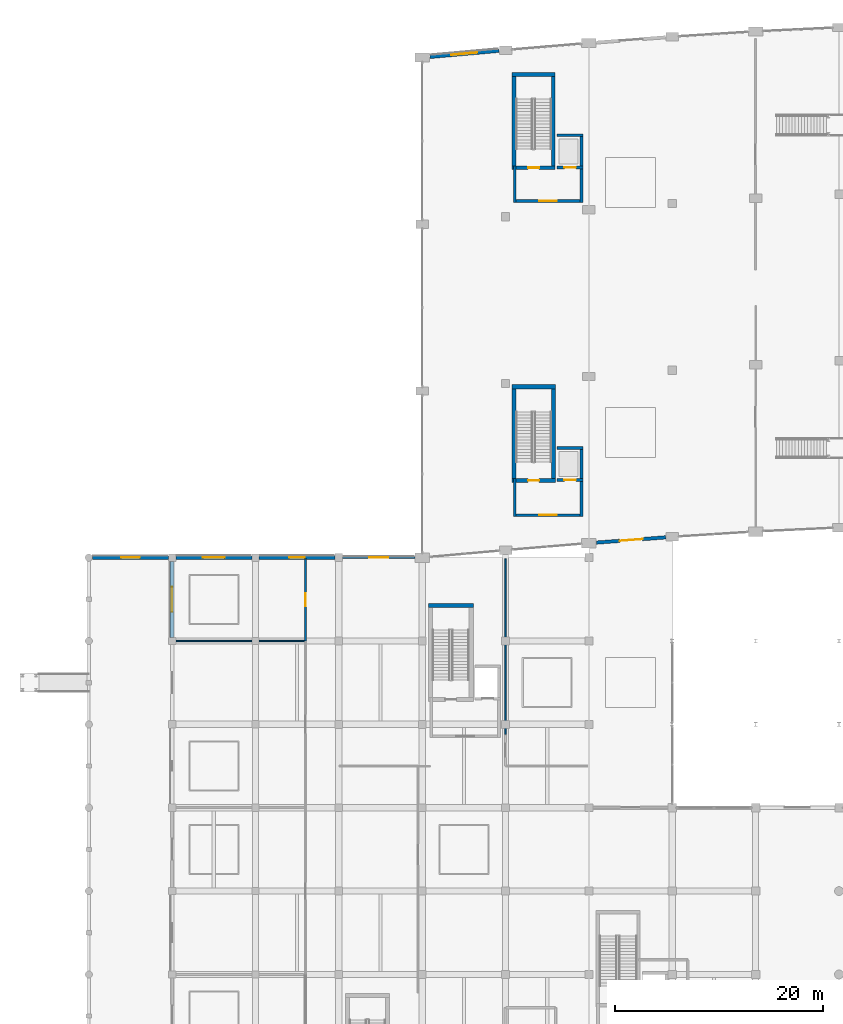
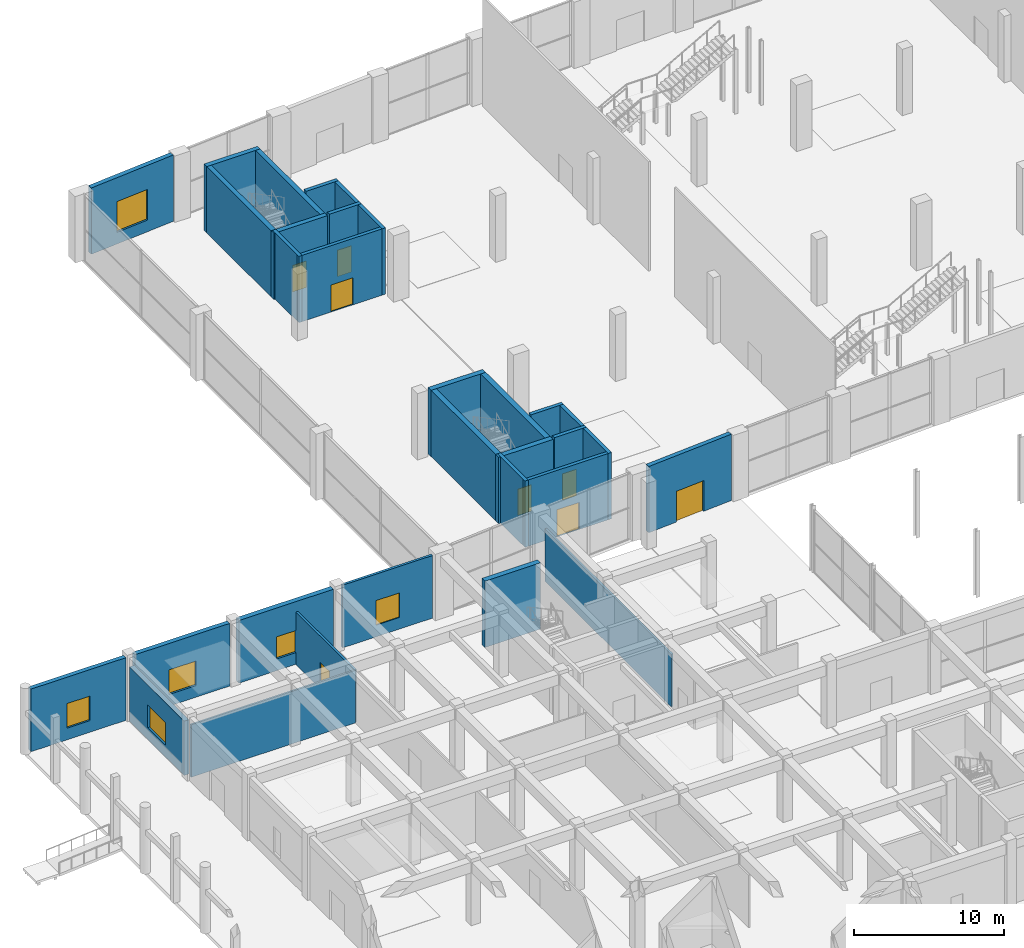
# One storey, part 58 of 86: 31 walls, 8 doors, 6 windows, 14 openings.
"""IFC4 building model written with IfcOpenShell, lengths in metres."""

from ifc_helpers import new_model, si_unit, direction, frame, frame_2d, origin, place, context, subcontext, project, spatial, rectangle, extrude, material, layer, layer_set, type_object, element, fill, save


model = new_model("IFC4")

# Units and contexts
model_context = context("Model", 3, precision=1e-05, world=origin(), true_north=direction((0.0, 1.0)))
body_context = subcontext(model_context, "Body", "Model", "MODEL_VIEW")
ifc_project = project(units=[si_unit("LENGTHUNIT", "METRE"), si_unit("AREAUNIT", "SQUARE_METRE"), si_unit("VOLUMEUNIT", "CUBIC_METRE"), si_unit("PLANEANGLEUNIT", "RADIAN"), si_unit("MASSUNIT", "GRAM", prefix="KILO")], contexts=[model_context])

# Site, building, storey
site_placement = place(None, origin())
site = spatial("IfcSite", under=ifc_project, at=site_placement, CompositionType="ELEMENT")
building_placement = place(site_placement, origin())
building = spatial("IfcBuilding", under=site, at=building_placement, Name="Kenh Van Central Station", CompositionType="ELEMENT")
storey_placement = place(building_placement, origin())
storey = spatial("IfcBuildingStorey", under=building, at=storey_placement, Name="L00", CompositionType="ELEMENT", Elevation=0.0)

# Wall, opening, door
ifc_material_1 = material(Name="Concrete C40/50", Category="concrete")
ifc_layer_1 = layer(ifc_material_1, 0.280029296875, Name="Concrete C40/50")
ifc_layer_set_1 = layer_set([ifc_layer_1], Name="Concrete C40/50")
wall_type_1 = type_object("IfcWallType", Name="WL-CORE-280", PredefinedType="SHEAR", material=ifc_layer_set_1)
wall_1_placement = place(storey_placement, frame((44.949951171875, 71.4599609375, 0.0), z_axis=(0.0, 0.0, 1.0), x_axis=(1.0, 0.0, 0.0)))
wall_1 = element("IfcWall", 1, at=wall_1_placement, inside=storey, type_object=wall_type_1, Name="L00 LIFT-PL1 shaft wall S", PredefinedType="SHEAR", context=body_context, shape_type="SweptSolid", body=[
    extrude(rectangle(XDim=2.47998046875, YDim=0.280029296875, at=frame_2d((1.239990234375, 0.0))), origin(), (0.0, 0.0, 1.0), 5.39990234375),
])
opening_1_placement = place(wall_1_placement, frame((0.68994140625, 0.0, 0.0)))
opening_1 = element("IfcOpeningElement", 2, at=opening_1_placement, cuts=wall_1, Name="Opening LD-P1", PredefinedType="OPENING", context=body_context, shape_type="SweptSolid", body=[
    extrude(rectangle(XDim=1.10009765625, YDim=2.14990234375, at=frame_2d((0.550048828125, 1.074951171875))), frame((0.0, 0.14990234375, 0.0), z_axis=(0.0, -1.0, 0.0), x_axis=(1.0, 0.0, 0.0)), (0.0, 0.0, 1.0), 0.300048828125),
])
ifc_material_2 = material(Name="Champagne anodised aluminium", Category="aluminium")
door_type_1 = type_object("IfcDoorType", Name="DR-LIFT-1100x2150", OperationType="SLIDING_TO_LEFT", PredefinedType="DOOR", material=ifc_material_2)
door_1_placement = place(opening_1_placement, origin())
door_1 = element("IfcDoor", 3, at=door_1_placement, inside=storey, type_object=door_type_1, Name="L00 LIFT-PL1 sliding landing door", OperationType="SLIDING_TO_LEFT", OverallHeight=2.14990234375, OverallWidth=1.10009765625, PredefinedType="DOOR", context=body_context, shape_type="SweptSolid", body=[
    extrude(rectangle(XDim=1.10009765625, YDim=2.14990234375, at=frame_2d((0.550048828125, 1.074951171875))), frame((0.0, 0.02490234375, 0.0), z_axis=(0.0, -1.0, 0.0), x_axis=(1.0, 0.0, 0.0)), (0.0, 0.0, 1.0), 0.050048828125),
])
fill(opening_1, door_1)

# Walls
wall_2_placement = place(storey_placement, frame((44.949951171875, 74.5400390625, 0.0), z_axis=(0.0, 0.0, 1.0), x_axis=(1.0, 0.0, 0.0)))
element("IfcWall", 4, at=wall_2_placement, inside=storey, type_object=wall_type_1, Name="L00 LIFT-PL1 shaft wall N", PredefinedType="SHEAR", context=body_context, shape_type="SweptSolid", body=[
    extrude(rectangle(XDim=2.47998046875, YDim=0.280029296875, at=frame_2d((1.239990234375, 0.0))), origin(), (0.0, 0.0, 1.0), 5.39990234375),
])
wall_3_placement = place(storey_placement, frame((47.2900390625, 71.60009765625, 0.0), z_axis=(0.0, 0.0, 1.0), x_axis=(0.0, 1.0, 0.0)))
element("IfcWall", 5, at=wall_3_placement, inside=storey, type_object=wall_type_1, Name="L00 LIFT-PL1 shaft wall E", PredefinedType="SHEAR", context=body_context, shape_type="SweptSolid", body=[
    extrude(rectangle(XDim=2.7998046875, YDim=0.280029296875, at=frame_2d((1.39990234375, 0.0))), origin(), (0.0, 0.0, 1.0), 5.39990234375),
])

# Wall, opening, door
wall_4_placement = place(storey_placement, frame((44.949951171875, 101.4599609375, 0.0), z_axis=(0.0, 0.0, 1.0), x_axis=(1.0, 0.0, 0.0)))
wall_4 = element("IfcWall", 6, at=wall_4_placement, inside=storey, type_object=wall_type_1, Name="L00 LIFT-PL2 shaft wall S", PredefinedType="SHEAR", context=body_context, shape_type="SweptSolid", body=[
    extrude(rectangle(XDim=2.47998046875, YDim=0.280029296875, at=frame_2d((1.239990234375, 0.0))), origin(), (0.0, 0.0, 1.0), 5.39990234375),
])
opening_2_placement = place(wall_4_placement, frame((0.68994140625, 0.0, 0.0)))
opening_2 = element("IfcOpeningElement", 7, at=opening_2_placement, cuts=wall_4, Name="Opening LD-P1", PredefinedType="OPENING", context=body_context, shape_type="SweptSolid", body=[
    extrude(rectangle(XDim=1.10009765625, YDim=2.14990234375, at=frame_2d((0.550048828125, 1.074951171875))), frame((0.0, 0.14990234375, 0.0), z_axis=(0.0, -1.0, 0.0), x_axis=(1.0, 0.0, 0.0)), (0.0, 0.0, 1.0), 0.300048828125),
])
door_2_placement = place(opening_2_placement, origin())
door_2 = element("IfcDoor", 8, at=door_2_placement, inside=storey, type_object=door_type_1, Name="L00 LIFT-PL2 sliding landing door", OperationType="SLIDING_TO_LEFT", OverallHeight=2.14990234375, OverallWidth=1.10009765625, PredefinedType="DOOR", context=body_context, shape_type="SweptSolid", body=[
    extrude(rectangle(XDim=1.10009765625, YDim=2.14990234375, at=frame_2d((0.550048828125, 1.074951171875))), frame((0.0, 0.02490234375, 0.0), z_axis=(0.0, -1.0, 0.0), x_axis=(1.0, 0.0, 0.0)), (0.0, 0.0, 1.0), 0.050048828125),
])
fill(opening_2, door_2)

# Walls
wall_5_placement = place(storey_placement, frame((44.949951171875, 104.5400390625, 0.0), z_axis=(0.0, 0.0, 1.0), x_axis=(1.0, 0.0, 0.0)))
element("IfcWall", 9, at=wall_5_placement, inside=storey, type_object=wall_type_1, Name="L00 LIFT-PL2 shaft wall N", PredefinedType="SHEAR", context=body_context, shape_type="SweptSolid", body=[
    extrude(rectangle(XDim=2.47998046875, YDim=0.280029296875, at=frame_2d((1.239990234375, 0.0))), origin(), (0.0, 0.0, 1.0), 5.39990234375),
])
wall_6_placement = place(storey_placement, frame((47.2900390625, 101.60009765625, 0.0), z_axis=(0.0, 0.0, 1.0), x_axis=(0.0, 1.0, 0.0)))
element("IfcWall", 10, at=wall_6_placement, inside=storey, type_object=wall_type_1, Name="L00 LIFT-PL2 shaft wall E", PredefinedType="SHEAR", context=body_context, shape_type="SweptSolid", body=[
    extrude(rectangle(XDim=2.7998046875, YDim=0.280029296875, at=frame_2d((1.39990234375, 0.0))), origin(), (0.0, 0.0, 1.0), 5.39990234375),
])

# Wall, opening, door
ifc_layer_2 = layer(ifc_material_1, 0.360107421875, Name="Concrete C40/50")
ifc_layer_set_2 = layer_set([ifc_layer_2], Name="Concrete C40/50")
wall_type_2 = type_object("IfcWallType", Name="WL-CORE-360", PredefinedType="SHEAR", material=ifc_layer_set_2)
wall_7_placement = place(storey_placement, frame((40.639892578125, 101.419921875, 0.0), z_axis=(0.0, 0.0, 1.0), x_axis=(1.0, 0.0, 0.0)))
wall_7 = element("IfcWall", 11, at=wall_7_placement, inside=storey, type_object=wall_type_2, Name="L00 CORE-07 stair wall S", PredefinedType="SHEAR", context=body_context, shape_type="SweptSolid", body=[
    extrude(rectangle(XDim=4.1201171875, YDim=0.360107421875, at=frame_2d((2.06005859375, 0.0))), origin(), (0.0, 0.0, 1.0), 5.39990234375),
])
opening_3_placement = place(wall_7_placement, frame((1.534912109375, 0.0, 0.0)))
opening_3 = element("IfcOpeningElement", 12, at=opening_3_placement, cuts=wall_7, Name="Opening D-FD60", PredefinedType="OPENING", context=body_context, shape_type="SweptSolid", body=[
    extrude(rectangle(XDim=1.050048828125, YDim=2.14990234375, at=frame_2d((0.52490234375, 1.074951171875))), frame((0.0, 0.18994140625, 0.0), z_axis=(0.0, -1.0, 0.0), x_axis=(1.0, 0.0, 0.0)), (0.0, 0.0, 1.0), 0.380126953125),
])
door_type_2 = type_object("IfcDoorType", Name="DR-FIRE-1050x2150", OperationType="NOTDEFINED", PredefinedType="DOOR", material=ifc_material_2)
door_3_placement = place(opening_3_placement, origin())
door_3 = element("IfcDoor", 13, at=door_3_placement, inside=storey, type_object=door_type_2, Name="L00 ST-07 stair door", OperationType="SINGLE_SWING_RIGHT", OverallHeight=2.14990234375, OverallWidth=1.050048828125, PredefinedType="DOOR", context=body_context, shape_type="SweptSolid", body=[
    extrude(rectangle(XDim=1.050048828125, YDim=2.14990234375, at=frame_2d((0.52490234375, 1.074951171875))), frame((0.0, 0.02490234375, 0.0), z_axis=(0.0, -1.0, 0.0), x_axis=(1.0, 0.0, 0.0)), (0.0, 0.0, 1.0), 0.050048828125),
])
fill(opening_3, door_3)

# Walls
wall_8_placement = place(storey_placement, frame((40.639892578125, 110.3798828125, 0.0), z_axis=(0.0, 0.0, 1.0), x_axis=(1.0, 0.0, 0.0)))
element("IfcWall", 14, at=wall_8_placement, inside=storey, type_object=wall_type_2, Name="L00 CORE-07 stair wall N", PredefinedType="SHEAR", context=body_context, shape_type="SweptSolid", body=[
    extrude(rectangle(XDim=4.1201171875, YDim=0.360107421875, at=frame_2d((2.06005859375, 0.0))), origin(), (0.0, 0.0, 1.0), 5.39990234375),
])
for number, where, z_axis, x_axis, name in (
    (15, (40.820068359375, 101.60009765625, 0.0), (0.0, 0.0, 1.0), (0.0, 1.0, 0.0), "L00 CORE-07 stair wall W"),
    (16, (44.580078125, 101.60009765625, 0.0), (0.0, 0.0, 1.0), (0.0, 1.0, 0.0), "L00 CORE-07 stair wall E"),
):
    element("IfcWall", number, at=place(storey_placement, frame(where, z_axis=z_axis, x_axis=x_axis)), inside=storey, type_object=wall_type_2, Name=name, PredefinedType="SHEAR", context=body_context, shape_type="SweptSolid", body=[
        extrude(rectangle(XDim=8.599853515625, YDim=0.360107421875, at=frame_2d((4.2998046875, 0.0))), origin(), (0.0, 0.0, 1.0), 5.39990234375),
    ])
ifc_layer_3 = layer(ifc_material_1, 0.39990234375, Name="Concrete C40/50")
ifc_layer_set_3 = layer_set([ifc_layer_3], Name="Concrete C40/50")
wall_type_3 = type_object("IfcWallType", Name="WL-CORE-400", PredefinedType="SHEAR", material=ifc_layer_set_3)
wall_9_placement = place(storey_placement, frame((32.60009765625, 59.39990234375, 0.0), z_axis=(0.0, 0.0, 1.0), x_axis=(1.0, 0.0, 0.0)))
element("IfcWall", 17, at=wall_9_placement, inside=storey, type_object=wall_type_3, Name="L00 CORE-02 stair wall N", PredefinedType="SHEAR", context=body_context, shape_type="SweptSolid", body=[
    extrude(rectangle(XDim=4.2998046875, YDim=0.39990234375, at=frame_2d((2.14990234375, 0.0))), origin(), (0.0, 0.0, 1.0), 5.39990234375),
])

# Wall, opening, door
wall_10_placement = place(storey_placement, frame((40.60009765625, 71.39990234375, 0.0), z_axis=(0.0, 0.0, 1.0), x_axis=(1.0, 0.0, 0.0)))
wall_10 = element("IfcWall", 18, at=wall_10_placement, inside=storey, type_object=wall_type_3, Name="L00 CORE-05 stair wall S", PredefinedType="SHEAR", context=body_context, shape_type="SweptSolid", body=[
    extrude(rectangle(XDim=4.199951171875, YDim=0.39990234375, at=frame_2d((2.10009765625, 0.0))), origin(), (0.0, 0.0, 1.0), 5.39990234375),
])
opening_4_placement = place(wall_10_placement, frame((1.574951171875, 0.0, 0.0)))
opening_4 = element("IfcOpeningElement", 19, at=opening_4_placement, cuts=wall_10, Name="Opening D-FD60", PredefinedType="OPENING", context=body_context, shape_type="SweptSolid", body=[
    extrude(rectangle(XDim=1.050048828125, YDim=2.14990234375, at=frame_2d((0.52490234375, 1.074951171875))), frame((0.0, 0.2099609375, 0.0), z_axis=(0.0, -1.0, 0.0), x_axis=(1.0, 0.0, 0.0)), (0.0, 0.0, 1.0), 0.419921875),
])
door_4_placement = place(opening_4_placement, origin())
door_4 = element("IfcDoor", 20, at=door_4_placement, inside=storey, type_object=door_type_2, Name="L00 ST-05 stair door", OperationType="SINGLE_SWING_RIGHT", OverallHeight=2.14990234375, OverallWidth=1.050048828125, PredefinedType="DOOR", context=body_context, shape_type="SweptSolid", body=[
    extrude(rectangle(XDim=1.050048828125, YDim=2.14990234375, at=frame_2d((0.52490234375, 1.074951171875))), frame((0.0, 0.02490234375, 0.0), z_axis=(0.0, -1.0, 0.0), x_axis=(1.0, 0.0, 0.0)), (0.0, 0.0, 1.0), 0.050048828125),
])
fill(opening_4, door_4)

# Walls
wall_11_placement = place(storey_placement, frame((40.60009765625, 80.39990234375, 0.0), z_axis=(0.0, 0.0, 1.0), x_axis=(1.0, 0.0, 0.0)))
element("IfcWall", 21, at=wall_11_placement, inside=storey, type_object=wall_type_3, Name="L00 CORE-05 stair wall N", PredefinedType="SHEAR", context=body_context, shape_type="SweptSolid", body=[
    extrude(rectangle(XDim=4.199951171875, YDim=0.39990234375, at=frame_2d((2.10009765625, 0.0))), origin(), (0.0, 0.0, 1.0), 5.39990234375),
])
for number, where, z_axis, x_axis, name in (
    (22, (40.800048828125, 71.60009765625, 0.0), (0.0, 0.0, 1.0), (0.0, 1.0, 0.0), "L00 CORE-05 stair wall W"),
    (23, (44.60009765625, 71.60009765625, 0.0), (0.0, 0.0, 1.0), (0.0, 1.0, 0.0), "L00 CORE-05 stair wall E"),
):
    element("IfcWall", number, at=place(storey_placement, frame(where, z_axis=z_axis, x_axis=x_axis)), inside=storey, type_object=wall_type_3, Name=name, PredefinedType="SHEAR", context=body_context, shape_type="SweptSolid", body=[
        extrude(rectangle(XDim=8.599853515625, YDim=0.39990234375, at=frame_2d((4.2998046875, 0.0))), origin(), (0.0, 0.0, 1.0), 5.39990234375),
    ])

# Wall, opening, door
ifc_material_3 = material(Name="Saigon buff sandstone and terracotta masonry", Category="masonry")
ifc_layer_4 = layer(ifc_material_3, 0.330078125, Name="Saigon buff sandstone and terracotta masonry")
ifc_layer_set_4 = layer_set([ifc_layer_4], Name="Saigon buff sandstone and terracotta masonry")
wall_type_4 = type_object("IfcWallType", Name="WL-EXT-330", PredefinedType="STANDARD", material=ifc_layer_set_4)
wall_12_placement = place(storey_placement, frame((48.72998046875, 65.44384765625, 0.0), z_axis=(0.0, 0.0, 1.0), x_axis=(0.997135615718, 0.075634409277, 0.0)))
wall_12 = element("IfcWall", 24, at=wall_12_placement, inside=storey, type_object=wall_type_4, Name="L00 exterior wall 002", PredefinedType="STANDARD", context=body_context, shape_type="SweptSolid", body=[
    extrude(rectangle(XDim=6.662353515625, YDim=0.330078125, at=frame_2d((3.3310546875, 0.0))), origin(), (0.0, 0.0, 1.0), 5.39990234375),
])
opening_5_placement = place(wall_12_placement, frame((2.231201171875, 0.0, 0.0)))
opening_5 = element("IfcOpeningElement", 25, at=opening_5_placement, cuts=wall_12, Name="Opening D-EX2", PredefinedType="OPENING", context=body_context, shape_type="SweptSolid", body=[
    extrude(rectangle(XDim=2.199951171875, YDim=2.5, at=frame_2d((1.10009765625, 1.25))), frame((0.0, 0.175048828125, 0.0), z_axis=(0.0, -1.0, 0.0), x_axis=(1.0, 0.0, 0.0)), (0.0, 0.0, 1.0), 0.35009765625),
])
door_type_3 = type_object("IfcDoorType", Name="DR-EXT-2200x2500", OperationType="DOUBLE_DOOR_SINGLE_SWING", PredefinedType="DOOR", material=ifc_material_2)
door_5_placement = place(opening_5_placement, origin())
door_5 = element("IfcDoor", 26, at=door_5_placement, inside=storey, type_object=door_type_3, Name="L00 exterior door 001", OperationType="DOUBLE_DOOR_SINGLE_SWING", OverallHeight=2.5, OverallWidth=2.199951171875, PredefinedType="DOOR", context=body_context, shape_type="SweptSolid", body=[
    extrude(rectangle(XDim=2.199951171875, YDim=2.5, at=frame_2d((1.10009765625, 1.25))), frame((0.0, 0.02490234375, 0.0), z_axis=(0.0, -1.0, 0.0), x_axis=(1.0, 0.0, 0.0)), (0.0, 0.0, 1.0), 0.050048828125),
])
fill(opening_5, door_5)

# Wall, opening, window
wall_13_placement = place(storey_placement, frame((7.64990234375, 64.0, 0.0), z_axis=(0.0, 0.0, 1.0), x_axis=(-1.0, 0.0, 0.0)))
wall_13 = element("IfcWall", 27, at=wall_13_placement, inside=storey, type_object=wall_type_4, Name="L00 exterior wall 034", PredefinedType="STANDARD", context=body_context, shape_type="SweptSolid", body=[
    extrude(rectangle(XDim=7.2998046875, YDim=0.330078125, at=frame_2d((3.64990234375, 0.0))), origin(), (0.0, 0.0, 1.0), 5.10009765625),
])
opening_6_placement = place(wall_13_placement, frame((2.75, 0.0, 0.949951171875)))
opening_6 = element("IfcOpeningElement", 28, at=opening_6_placement, cuts=wall_13, Name="Opening WN-10", PredefinedType="OPENING", context=body_context, shape_type="SweptSolid", body=[
    extrude(rectangle(XDim=1.800048828125, YDim=2.0, at=frame_2d((0.89990234375, 1.0))), frame((0.0, 0.175048828125, 0.0), z_axis=(0.0, -1.0, 0.0), x_axis=(1.0, 0.0, 0.0)), (0.0, 0.0, 1.0), 0.35009765625),
])
ifc_material_4 = material(Name="Double-glazed low-E laminated solar glass", Category="glass")
window_type_1 = type_object("IfcWindowType", Name="WN-RETL-1800x2000", PartitioningType="DOUBLE_PANEL_VERTICAL", PredefinedType="WINDOW", material=ifc_material_4)
window_1_placement = place(opening_6_placement, origin())
window_1 = element("IfcWindow", 29, at=window_1_placement, inside=storey, type_object=window_type_1, Name="L00 window 012", OverallHeight=2.0, OverallWidth=1.800048828125, PartitioningType="SINGLE_PANEL", PredefinedType="WINDOW", context=body_context, shape_type="SweptSolid", body=[
    extrude(rectangle(XDim=1.800048828125, YDim=2.0, at=frame_2d((0.89990234375, 1.0))), frame((0.0, 0.030029296875, 0.0), z_axis=(0.0, -1.0, 0.0), x_axis=(1.0, 0.0, 0.0)), (0.0, 0.0, 1.0), 0.06005859375),
])
fill(opening_6, window_1)

ifc_layer_5 = layer(ifc_material_3, 0.35009765625, Name="Saigon buff sandstone and terracotta masonry")
ifc_layer_set_5 = layer_set([ifc_layer_5], Name="Saigon buff sandstone and terracotta masonry")
wall_type_5 = type_object("IfcWallType", Name="WL-EXT-350", PredefinedType="STANDARD", material=ifc_layer_set_5)
wall_14_placement = place(storey_placement, frame((39.369384765625, 112.656005859375, 0.0), z_axis=(0.0, 0.0, 1.0), x_axis=(-0.99606236277, -0.088655340921, 0.0)))
wall_14 = element("IfcWall", 30, at=wall_14_placement, inside=storey, type_object=wall_type_5, Name="L00 exterior wall 001", PredefinedType="STANDARD", context=body_context, shape_type="SweptSolid", body=[
    extrude(rectangle(XDim=6.661376953125, YDim=0.35009765625, at=frame_2d((3.33056640625, 0.0))), origin(), (0.0, 0.0, 1.0), 5.39990234375),
])
opening_7_placement = place(wall_14_placement, frame((2.080810546875, 0.0, 0.949951171875)))
opening_7 = element("IfcOpeningElement", 31, at=opening_7_placement, cuts=wall_14, Name="Opening WN-06", PredefinedType="OPENING", context=body_context, shape_type="SweptSolid", body=[
    extrude(rectangle(XDim=2.5, YDim=2.5, at=frame_2d((1.25, 1.25))), frame((0.0, 0.18505859375, 0.0), z_axis=(0.0, -1.0, 0.0), x_axis=(1.0, 0.0, 0.0)), (0.0, 0.0, 1.0), 0.3701171875),
])
window_type_2 = type_object("IfcWindowType", Name="WN-VIAD-2500x2500", PartitioningType="DOUBLE_PANEL_VERTICAL", PredefinedType="WINDOW", material=ifc_material_4)
window_2_placement = place(opening_7_placement, origin())
window_2 = element("IfcWindow", 32, at=window_2_placement, inside=storey, type_object=window_type_2, Name="L00 window 001", OverallHeight=2.5, OverallWidth=2.5, PartitioningType="SINGLE_PANEL", PredefinedType="WINDOW", context=body_context, shape_type="SweptSolid", body=[
    extrude(rectangle(XDim=2.5, YDim=2.5, at=frame_2d((1.25, 1.25))), frame((0.0, 0.030029296875, 0.0), z_axis=(0.0, -1.0, 0.0), x_axis=(1.0, 0.0, 0.0)), (0.0, 0.0, 1.0), 0.06005859375),
])
fill(opening_7, window_2)

wall_15_placement = place(storey_placement, frame((15.64990234375, 64.0, 0.0), z_axis=(0.0, 0.0, 1.0), x_axis=(-1.0, 0.0, 0.0)))
wall_15 = element("IfcWall", 33, at=wall_15_placement, inside=storey, type_object=wall_type_5, Name="L00 exterior wall 033", PredefinedType="STANDARD", context=body_context, shape_type="SweptSolid", body=[
    extrude(rectangle(XDim=7.2998046875, YDim=0.35009765625, at=frame_2d((3.64990234375, 0.0))), origin(), (0.0, 0.0, 1.0), 5.10009765625),
])
opening_8_placement = place(wall_15_placement, frame((2.60009765625, 0.0, 0.949951171875)))
opening_8 = element("IfcOpeningElement", 34, at=opening_8_placement, cuts=wall_15, Name="Opening WN-09", PredefinedType="OPENING", context=body_context, shape_type="SweptSolid", body=[
    extrude(rectangle(XDim=2.10009765625, YDim=2.0, at=frame_2d((1.050048828125, 1.0))), frame((0.0, 0.18505859375, 0.0), z_axis=(0.0, -1.0, 0.0), x_axis=(1.0, 0.0, 0.0)), (0.0, 0.0, 1.0), 0.3701171875),
])
window_type_3 = type_object("IfcWindowType", Name="WN-RETL-2100x2000", PartitioningType="DOUBLE_PANEL_VERTICAL", PredefinedType="WINDOW", material=ifc_material_4)
window_3_placement = place(opening_8_placement, origin())
window_3 = element("IfcWindow", 35, at=window_3_placement, inside=storey, type_object=window_type_3, Name="L00 window 011", OverallHeight=2.0, OverallWidth=2.10009765625, PartitioningType="SINGLE_PANEL", PredefinedType="WINDOW", context=body_context, shape_type="SweptSolid", body=[
    extrude(rectangle(XDim=2.10009765625, YDim=2.0, at=frame_2d((1.050048828125, 1.0))), frame((0.0, 0.030029296875, 0.0), z_axis=(0.0, -1.0, 0.0), x_axis=(1.0, 0.0, 0.0)), (0.0, 0.0, 1.0), 0.06005859375),
])
fill(opening_8, window_3)

ifc_layer_6 = layer(ifc_material_3, 0.3798828125, Name="Saigon buff sandstone and terracotta masonry")
ifc_layer_set_6 = layer_set([ifc_layer_6], Name="Saigon buff sandstone and terracotta masonry")
wall_type_6 = type_object("IfcWallType", Name="WL-EXT-380", PredefinedType="STANDARD", material=ifc_layer_set_6)
wall_16_placement = place(storey_placement, frame((8.0, 63.64990234375, 0.0), z_axis=(0.0, 0.0, 1.0), x_axis=(0.0, -1.0, 0.0)))
wall_16 = element("IfcWall", 36, at=wall_16_placement, inside=storey, type_object=wall_type_6, Name="L00 exterior wall 024", PredefinedType="STANDARD", context=body_context, shape_type="SweptSolid", body=[
    extrude(rectangle(XDim=7.2998046875, YDim=0.3798828125, at=frame_2d((3.64990234375, 0.0))), origin(), (0.0, 0.0, 1.0), 4.419921875),
])
opening_9_placement = place(wall_16_placement, frame((2.449951171875, 0.0, 0.949951171875)))
opening_9 = element("IfcOpeningElement", 37, at=opening_9_placement, cuts=wall_16, Name="Opening WN-12", PredefinedType="OPENING", context=body_context, shape_type="SweptSolid", body=[
    extrude(rectangle(XDim=2.39990234375, YDim=1.85009765625, at=frame_2d((1.199951171875, 0.925048828125))), frame((0.0, 0.199951171875, 0.0), z_axis=(0.0, -1.0, 0.0), x_axis=(1.0, 0.0, 0.0)), (0.0, 0.0, 1.0), 0.39990234375),
])
window_type_4 = type_object("IfcWindowType", Name="WN-OP00-2400x1850", PartitioningType="DOUBLE_PANEL_VERTICAL", PredefinedType="WINDOW", material=ifc_material_4)
window_4_placement = place(opening_9_placement, origin())
window_4 = element("IfcWindow", 38, at=window_4_placement, inside=storey, type_object=window_type_4, Name="L00 window 005", OverallHeight=1.85009765625, OverallWidth=2.39990234375, PartitioningType="SINGLE_PANEL", PredefinedType="WINDOW", context=body_context, shape_type="SweptSolid", body=[
    extrude(rectangle(XDim=2.39990234375, YDim=1.85009765625, at=frame_2d((1.199951171875, 0.925048828125))), frame((0.0, 0.030029296875, 0.0), z_axis=(0.0, -1.0, 0.0), x_axis=(1.0, 0.0, 0.0)), (0.0, 0.0, 1.0), 0.06005859375),
])
fill(opening_9, window_4)

wall_17_placement = place(storey_placement, frame((23.625, 64.0, 0.0), z_axis=(0.0, 0.0, 1.0), x_axis=(-1.0, 0.0, 0.0)))
wall_17 = element("IfcWall", 39, at=wall_17_placement, inside=storey, type_object=wall_type_6, Name="L00 exterior wall 032", PredefinedType="STANDARD", context=body_context, shape_type="SweptSolid", body=[
    extrude(rectangle(XDim=7.27490234375, YDim=0.3798828125, at=frame_2d((3.637451171875, 0.0))), origin(), (0.0, 0.0, 1.0), 5.10009765625),
])
opening_10_placement = place(wall_17_placement, frame((2.887451171875, 0.0, 0.949951171875)))
opening_10 = element("IfcOpeningElement", 40, at=opening_10_placement, cuts=wall_17, Name="Opening WN-11", PredefinedType="OPENING", context=body_context, shape_type="SweptSolid", body=[
    extrude(rectangle(XDim=1.5, YDim=1.800048828125, at=frame_2d((0.75, 0.89990234375))), frame((0.0, 0.199951171875, 0.0), z_axis=(0.0, -1.0, 0.0), x_axis=(1.0, 0.0, 0.0)), (0.0, 0.0, 1.0), 0.39990234375),
])
window_type_5 = type_object("IfcWindowType", Name="WN-RETL-1500x1800", PartitioningType="SINGLE_PANEL", PredefinedType="WINDOW", material=ifc_material_4)
window_5_placement = place(opening_10_placement, origin())
window_5 = element("IfcWindow", 41, at=window_5_placement, inside=storey, type_object=window_type_5, Name="L00 window 010", OverallHeight=1.800048828125, OverallWidth=1.5, PartitioningType="SINGLE_PANEL", PredefinedType="WINDOW", context=body_context, shape_type="SweptSolid", body=[
    extrude(rectangle(XDim=1.5, YDim=1.800048828125, at=frame_2d((0.75, 0.89990234375))), frame((0.0, 0.030029296875, 0.0), z_axis=(0.0, -1.0, 0.0), x_axis=(1.0, 0.0, 0.0)), (0.0, 0.0, 1.0), 0.06005859375),
])
fill(opening_10, window_5)

# Wall, opening, door
ifc_layer_7 = layer(ifc_material_1, 0.260009765625, Name="Concrete C40/50")
ifc_layer_set_7 = layer_set([ifc_layer_7], Name="Concrete C40/50")
wall_type_7 = type_object("IfcWallType", Name="WL-FIRE-260", PredefinedType="SHEAR", material=ifc_layer_set_7)
wall_18_placement = place(storey_placement, frame((47.409912109375, 68.070068359375, 0.0), z_axis=(0.0, 0.0, 1.0), x_axis=(-1.0, 0.0, 0.0)))
wall_18 = element("IfcWall", 42, at=wall_18_placement, inside=storey, type_object=wall_type_7, Name="L00 CORE-05 lobby wall S", PredefinedType="SHEAR", context=body_context, shape_type="SweptSolid", body=[
    extrude(rectangle(XDim=6.669921875, YDim=0.260009765625, at=frame_2d((3.3349609375, 0.0))), origin(), (0.0, 0.0, 1.0), 5.39990234375),
])
opening_11_placement = place(wall_18_placement, frame((2.485107421875, 0.0, 0.0)))
opening_11 = element("IfcOpeningElement", 43, at=opening_11_placement, cuts=wall_18, Name="Opening D-FD60D", PredefinedType="OPENING", context=body_context, shape_type="SweptSolid", body=[
    extrude(rectangle(XDim=1.699951171875, YDim=2.199951171875, at=frame_2d((0.85009765625, 1.10009765625))), frame((0.0, 0.139892578125, 0.0), z_axis=(0.0, -1.0, 0.0), x_axis=(1.0, 0.0, 0.0)), (0.0, 0.0, 1.0), 0.280029296875),
])
door_type_4 = type_object("IfcDoorType", Name="DR-FIRE-1700x2200", OperationType="DOUBLE_DOOR_SINGLE_SWING", PredefinedType="DOOR", material=ifc_material_2)
door_6_placement = place(opening_11_placement, origin())
door_6 = element("IfcDoor", 44, at=door_6_placement, inside=storey, type_object=door_type_4, Name="L00 CORE-05 smoke-stop lobby door", OperationType="DOUBLE_DOOR_SINGLE_SWING", OverallHeight=2.199951171875, OverallWidth=1.699951171875, PredefinedType="DOOR", context=body_context, shape_type="SweptSolid", body=[
    extrude(rectangle(XDim=1.699951171875, YDim=2.199951171875, at=frame_2d((0.85009765625, 1.10009765625))), frame((0.0, 0.02490234375, 0.0), z_axis=(0.0, -1.0, 0.0), x_axis=(1.0, 0.0, 0.0)), (0.0, 0.0, 1.0), 0.050048828125),
])
fill(opening_11, door_6)

# Walls
for number, where, z_axis, x_axis, name in (
    (45, (40.8701171875, 67.93994140625, 0.0), (0.0, 0.0, 1.0), (0.0, 1.0, 0.0), "L00 CORE-05 lobby wall W"),
    (46, (47.280029296875, 67.93994140625, 0.0), (0.0, 0.0, 1.0), (0.0, 1.0, 0.0), "L00 CORE-05 lobby wall E"),
):
    element("IfcWall", number, at=place(storey_placement, frame(where, z_axis=z_axis, x_axis=x_axis)), inside=storey, type_object=wall_type_7, Name=name, PredefinedType="SHEAR", context=body_context, shape_type="SweptSolid", body=[
        extrude(rectangle(XDim=3.66015625, YDim=0.260009765625, at=frame_2d((1.830078125, 0.0))), origin(), (0.0, 0.0, 1.0), 5.39990234375),
    ])

# Wall, opening, door
wall_19_placement = place(storey_placement, frame((47.409912109375, 98.219970703125, 0.0), z_axis=(0.0, 0.0, 1.0), x_axis=(-1.0, 0.0, 0.0)))
wall_19 = element("IfcWall", 47, at=wall_19_placement, inside=storey, type_object=wall_type_7, Name="L00 CORE-07 lobby wall S", PredefinedType="SHEAR", context=body_context, shape_type="SweptSolid", body=[
    extrude(rectangle(XDim=6.669921875, YDim=0.260009765625, at=frame_2d((3.3349609375, 0.0))), origin(), (0.0, 0.0, 1.0), 5.39990234375),
])
opening_12_placement = place(wall_19_placement, frame((2.485107421875, 0.0, 0.0)))
opening_12 = element("IfcOpeningElement", 48, at=opening_12_placement, cuts=wall_19, Name="Opening D-FD60D", PredefinedType="OPENING", context=body_context, shape_type="SweptSolid", body=[
    extrude(rectangle(XDim=1.699951171875, YDim=2.199951171875, at=frame_2d((0.85009765625, 1.10009765625))), frame((0.0, 0.139892578125, 0.0), z_axis=(0.0, -1.0, 0.0), x_axis=(1.0, 0.0, 0.0)), (0.0, 0.0, 1.0), 0.280029296875),
])
door_7_placement = place(opening_12_placement, origin())
door_7 = element("IfcDoor", 49, at=door_7_placement, inside=storey, type_object=door_type_4, Name="L00 CORE-07 smoke-stop lobby door", OperationType="DOUBLE_DOOR_SINGLE_SWING", OverallHeight=2.199951171875, OverallWidth=1.699951171875, PredefinedType="DOOR", context=body_context, shape_type="SweptSolid", body=[
    extrude(rectangle(XDim=1.699951171875, YDim=2.199951171875, at=frame_2d((0.85009765625, 1.10009765625))), frame((0.0, 0.02490234375, 0.0), z_axis=(0.0, -1.0, 0.0), x_axis=(1.0, 0.0, 0.0)), (0.0, 0.0, 1.0), 0.050048828125),
])
fill(opening_12, door_7)

# Walls
for number, where, z_axis, x_axis, name in (
    (50, (40.8701171875, 98.090087890625, 0.0), (0.0, 0.0, 1.0), (0.0, 1.0, 0.0), "L00 CORE-07 lobby wall W"),
    (51, (47.280029296875, 98.090087890625, 0.0), (0.0, 0.0, 1.0), (0.0, 1.0, 0.0), "L00 CORE-07 lobby wall E"),
):
    element("IfcWall", number, at=place(storey_placement, frame(where, z_axis=z_axis, x_axis=x_axis)), inside=storey, type_object=wall_type_7, Name=name, PredefinedType="SHEAR", context=body_context, shape_type="SweptSolid", body=[
        extrude(rectangle(XDim=3.510009765625, YDim=0.260009765625, at=frame_2d((1.7548828125, 0.0))), origin(), (0.0, 0.0, 1.0), 5.39990234375),
    ])
ifc_material_5 = material(Name="Lightweight acoustic masonry blockwork", Category="masonry")
ifc_layer_8 = layer(ifc_material_5, 0.135009765625, Name="Lightweight acoustic masonry blockwork")
ifc_layer_set_8 = layer_set([ifc_layer_8], Name="Lightweight acoustic masonry blockwork")
wall_type_8 = type_object("IfcWallType", Name="WL-PART-135", PredefinedType="PARTITIONING", material=ifc_layer_set_8)
wall_20_placement = place(storey_placement, frame((8.1201171875, 56.0, 0.0), z_axis=(0.0, 0.0, 1.0), x_axis=(1.0, 0.0, 0.0)))
element("IfcWall", 52, at=wall_20_placement, inside=storey, type_object=wall_type_8, Name="L00 interior wall 0045", PredefinedType="PARTITIONING", context=body_context, shape_type="SweptSolid", body=[
    extrude(rectangle(XDim=12.659912109375, YDim=0.135009765625, at=frame_2d((6.330078125, 0.0))), origin(), (0.0, 0.0, 1.0), 4.27001953125),
])
ifc_layer_9 = layer(ifc_material_5, 0.14990234375, Name="Lightweight acoustic masonry blockwork")
ifc_layer_set_9 = layer_set([ifc_layer_9], Name="Lightweight acoustic masonry blockwork")
wall_type_9 = type_object("IfcWallType", Name="WL-PART-150", PredefinedType="PARTITIONING", material=ifc_layer_set_9)
wall_21_placement = place(storey_placement, frame((40.0, 47.02001953125, 0.0), z_axis=(0.0, 0.0, 1.0), x_axis=(0.0, 1.0, 0.0)))
element("IfcWall", 53, at=wall_21_placement, inside=storey, type_object=wall_type_9, Name="L00 interior wall 0058", PredefinedType="PARTITIONING", context=body_context, shape_type="SweptSolid", body=[
    extrude(rectangle(XDim=16.85986328125, YDim=0.14990234375, at=frame_2d((8.429931640625, 0.0))), origin(), (0.0, 0.0, 1.0), 4.27001953125),
])

# Wall, opening, door
ifc_layer_10 = layer(ifc_material_5, 0.175048828125, Name="Lightweight acoustic masonry blockwork")
ifc_layer_set_10 = layer_set([ifc_layer_10], Name="Lightweight acoustic masonry blockwork")
wall_type_10 = type_object("IfcWallType", Name="WL-PART-175", PredefinedType="PARTITIONING", material=ifc_layer_set_10)
wall_22_placement = place(storey_placement, frame((20.800048828125, 56.02001953125, 0.0), z_axis=(0.0, 0.0, 1.0), x_axis=(0.0, 1.0, 0.0)))
wall_22 = element("IfcWall", 54, at=wall_22_placement, inside=storey, type_object=wall_type_10, Name="L00 interior wall 0042", PredefinedType="PARTITIONING", context=body_context, shape_type="SweptSolid", body=[
    extrude(rectangle(XDim=7.85986328125, YDim=0.175048828125, at=frame_2d((3.929931640625, 0.0))), origin(), (0.0, 0.0, 1.0), 4.27001953125),
])
opening_13_placement = place(wall_22_placement, frame((3.304931640625, 0.0, 0.0)))
opening_13 = element("IfcOpeningElement", 55, at=opening_13_placement, cuts=wall_22, Name="Opening D-IN04", PredefinedType="OPENING", context=body_context, shape_type="SweptSolid", body=[
    extrude(rectangle(XDim=1.25, YDim=2.14990234375, at=frame_2d((0.625, 1.074951171875))), frame((0.0, 0.097412109375, 0.0), z_axis=(0.0, -1.0, 0.0), x_axis=(1.0, 0.0, 0.0)), (0.0, 0.0, 1.0), 0.195068359375),
])
ifc_material_6 = material(Name="Architectural hardwood timber", Category="wood")
door_type_5 = type_object("IfcDoorType", Name="DR-INT-1250x2150", OperationType="NOTDEFINED", PredefinedType="DOOR", material=ifc_material_6)
door_8_placement = place(opening_13_placement, origin())
door_8 = element("IfcDoor", 56, at=door_8_placement, inside=storey, type_object=door_type_5, Name="L00 interior door 0025", OperationType="SINGLE_SWING_RIGHT", OverallHeight=2.14990234375, OverallWidth=1.25, PredefinedType="DOOR", context=body_context, shape_type="SweptSolid", body=[
    extrude(rectangle(XDim=1.25, YDim=2.14990234375, at=frame_2d((0.625, 1.074951171875))), frame((0.0, 0.02490234375, 0.0), z_axis=(0.0, -1.0, 0.0), x_axis=(1.0, 0.0, 0.0)), (0.0, 0.0, 1.0), 0.050048828125),
])
fill(opening_13, door_8)

# Wall, opening, window
ifc_material_7 = material(Name="Glazed terracotta architectural masonry", Category="masonry")
ifc_layer_11 = layer(ifc_material_7, 0.195068359375, Name="Glazed terracotta architectural masonry")
ifc_layer_set_11 = layer_set([ifc_layer_11], Name="Glazed terracotta architectural masonry")
wall_type_11 = type_object("IfcWallType", Name="WL-SLD-195", PredefinedType="SOLIDWALL", material=ifc_layer_set_11)
wall_23_placement = place(storey_placement, frame((31.300048828125, 64.0, 0.0), z_axis=(0.0, 0.0, 1.0), x_axis=(-1.0, 0.0, 0.0)))
wall_23 = element("IfcWall", 57, at=wall_23_placement, inside=storey, type_object=wall_type_11, Name="L00 exterior wall 031", PredefinedType="SOLIDWALL", context=body_context, shape_type="SweptSolid", body=[
    extrude(rectangle(XDim=6.925048828125, YDim=0.195068359375, at=frame_2d((3.46240234375, 0.0))), origin(), (0.0, 0.0, 1.0), 5.10009765625),
])
opening_14_placement = place(wall_23_placement, frame((2.5625, 0.0, 0.949951171875)))
opening_14 = element("IfcOpeningElement", 58, at=opening_14_placement, cuts=wall_23, Name="Opening WN-10", PredefinedType="OPENING", context=body_context, shape_type="SweptSolid", body=[
    extrude(rectangle(XDim=1.800048828125, YDim=2.0, at=frame_2d((0.89990234375, 1.0))), frame((0.0, 0.107421875, 0.0), z_axis=(0.0, -1.0, 0.0), x_axis=(1.0, 0.0, 0.0)), (0.0, 0.0, 1.0), 0.215087890625),
])
window_6_placement = place(opening_14_placement, origin())
window_6 = element("IfcWindow", 59, at=window_6_placement, inside=storey, type_object=window_type_1, Name="L00 window 009", OverallHeight=2.0, OverallWidth=1.800048828125, PartitioningType="SINGLE_PANEL", PredefinedType="WINDOW", context=body_context, shape_type="SweptSolid", body=[
    extrude(rectangle(XDim=1.800048828125, YDim=2.0, at=frame_2d((0.89990234375, 1.0))), frame((0.0, 0.030029296875, 0.0), z_axis=(0.0, -1.0, 0.0), x_axis=(1.0, 0.0, 0.0)), (0.0, 0.0, 1.0), 0.06005859375),
])
fill(opening_14, window_6)

save(model, "model.ifc")
